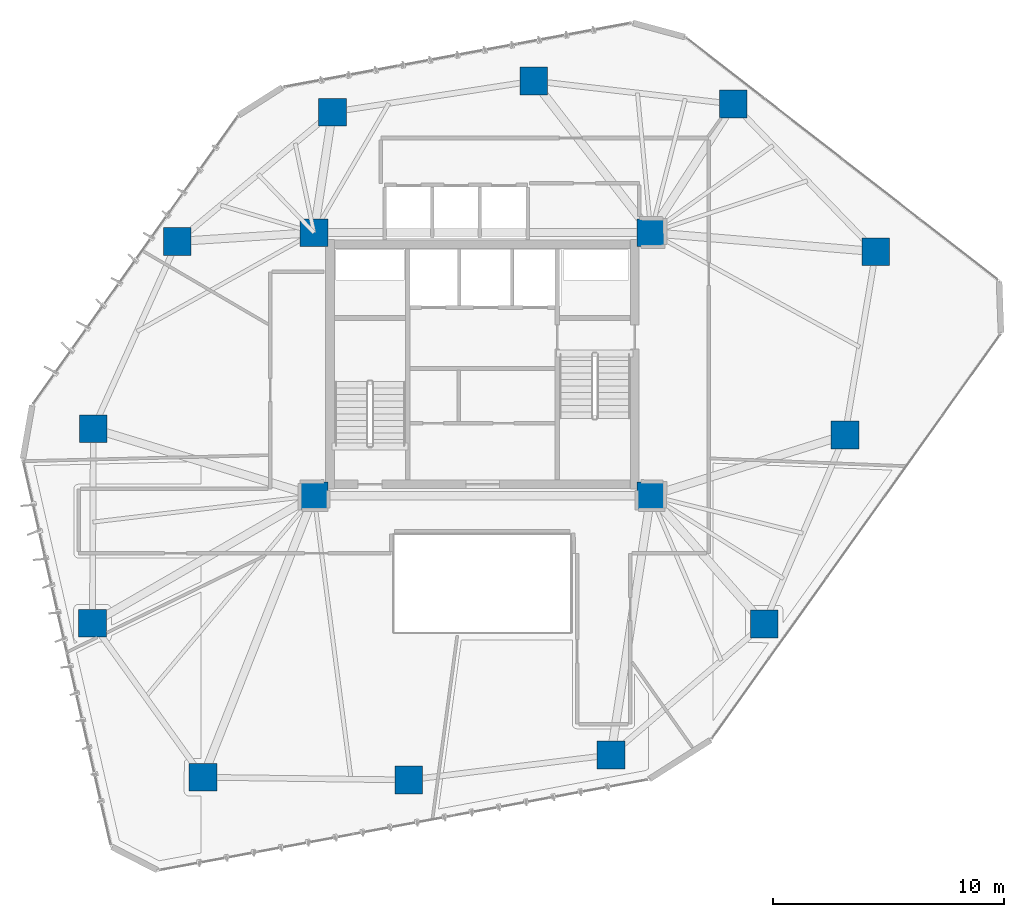
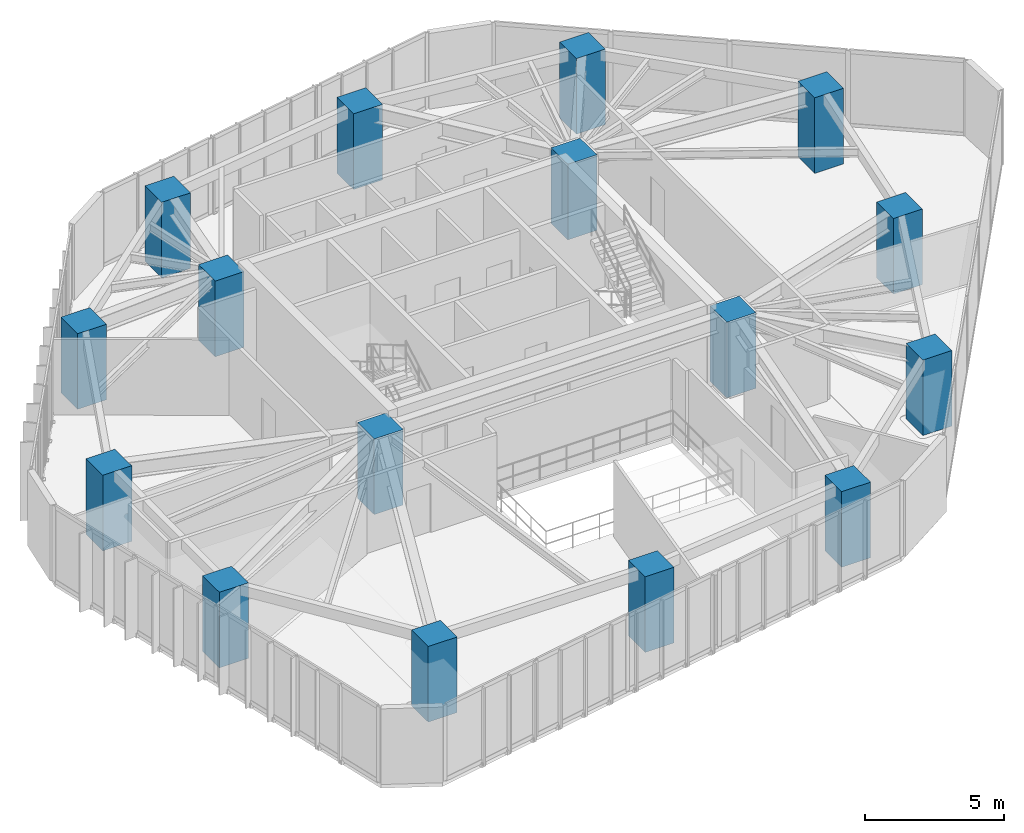
# One storey, part 1 of 22: 16 columns.
"""IFC4 building model written with IfcOpenShell, lengths in metres."""

from ifc_helpers import new_model, si_unit, direction, frame, origin, origin_2d, place, context, subcontext, project, spatial, rectangle, extrude, material, material_profile, profile_set, type_object, element, save


model = new_model("IFC4")

# Units and contexts
model_context = context("Model", 3, precision=1e-05, world=origin(), true_north=direction((0.0, 1.0)))
body_context = subcontext(model_context, "Body", "Model", "MODEL_VIEW")
ifc_project = project(units=[si_unit("LENGTHUNIT", "METRE"), si_unit("AREAUNIT", "SQUARE_METRE"), si_unit("VOLUMEUNIT", "CUBIC_METRE"), si_unit("PLANEANGLEUNIT", "RADIAN"), si_unit("MASSUNIT", "GRAM", prefix="KILO")], contexts=[model_context])

# Site, building, storey
site_placement = place(None, origin())
site = spatial("IfcSite", under=ifc_project, at=site_placement, CompositionType="ELEMENT")
building_placement = place(site_placement, origin())
building = spatial("IfcBuilding", under=site, at=building_placement, Name="Talar Marvaseh", CompositionType="ELEMENT")
storey_placement = place(building_placement, frame((0.0, 0.0, 121.800048828125)))
storey = spatial("IfcBuildingStorey", under=building, at=storey_placement, Name="L31", CompositionType="ELEMENT", Elevation=121.800048828125)

# Columns
ifc_material = material(Name="Concrete C60/75", Category="concrete")
ifc_material_profile = material_profile(ifc_material, rectangle(XDim=1.199951171875, YDim=1.199951171875, at=origin_2d()), Name="RC1200x1200")
ifc_profile_set = profile_set([ifc_material_profile], Name="Concrete C60/75")
column_type = type_object("IfcColumnType", Name="Zone 2 Tube Column RC1200x1200", PredefinedType="COLUMN", material=ifc_profile_set)
for number, where, z_axis, x_axis, name in (
    (1, (36.865966796875, 42.470947265625, 0.0), (0.0, 0.0, 1.0), (1.0, 0.0, 0.0), "L31 Zone 2 Tube Column RC1200x1200"),
    (2, (43.0439453125, 36.075927734375, 0.0), (0.0, 0.0, 1.0), (1.0, 0.0, 0.0), "L31 Zone 2 Tube Column RC1200x1200"),
    (3, (41.708984375, 28.1279296875, 0.0), (0.0, 0.0, 1.0), (1.0, 0.0, 0.0), "L31 Zone 2 Tube Column RC1200x1200"),
    (4, (38.2060546875, 19.94091796875, 0.0), (0.0, 0.0, 1.0), (1.0, 0.0, 0.0), "L31 Zone 2 Tube Column RC1200x1200"),
    (5, (31.570068359375, 14.26806640625, 0.0), (0.0, 0.0, 1.0), (1.0, 0.0, 0.0), "L31 Zone 2 Tube Column RC1200x1200"),
    (6, (22.804931640625, 13.18310546875, 0.0), (0.0, 0.0, 1.0), (1.0, 0.0, 0.0), "L31 Zone 2 Tube Column RC1200x1200"),
    (7, (13.89111328125, 13.299072265625, 0.0), (0.0, 0.0, 1.0), (1.0, 0.0, 0.0), "L31 Zone 2 Tube Column RC1200x1200"),
    (8, (9.10107421875, 19.97705078125, 0.0), (0.0, 0.0, 1.0), (1.0, 0.0, 0.0), "L31 Zone 2 Tube Column RC1200x1200"),
    (9, (9.137939453125, 28.402099609375, 0.0), (0.0, 0.0, 1.0), (1.0, 0.0, 0.0), "L31 Zone 2 Tube Column RC1200x1200"),
    (10, (12.780029296875, 36.51708984375, 0.0), (0.0, 0.0, 1.0), (1.0, 0.0, 0.0), "L31 Zone 2 Tube Column RC1200x1200"),
    (11, (19.5009765625, 42.123046875, 0.0), (0.0, 0.0, 1.0), (1.0, 0.0, 0.0), "L31 Zone 2 Tube Column RC1200x1200"),
    (12, (28.221923828125, 43.471923828125, 0.0), (0.0, 0.0, 1.0), (1.0, 0.0, 0.0), "L31 Zone 2 Tube Column RC1200x1200"),
    (13, (18.699951171875, 25.5, 0.0), (0.0, 0.0, 1.0), (1.0, 0.0, 0.0), "L31 Zone 2 Tube Column RC1200x1200"),
    (14, (33.300048828125, 25.5, 0.0), (0.0, 0.0, 1.0), (1.0, 0.0, 0.0), "L31 Zone 2 Tube Column RC1200x1200"),
    (15, (33.300048828125, 36.89990234375, 0.0), (0.0, 0.0, 1.0), (1.0, 0.0, 0.0), "L31 Zone 2 Tube Column RC1200x1200"),
    (16, (18.699951171875, 36.89990234375, 0.0), (0.0, 0.0, 1.0), (1.0, 0.0, 0.0), "L31 Zone 2 Tube Column RC1200x1200"),
):
    element("IfcColumn", number, at=place(storey_placement, frame(where, z_axis=z_axis, x_axis=x_axis)), inside=storey, type_object=column_type, Name=name, PredefinedType="COLUMN", context=body_context, shape_type="SweptSolid", body=[
        extrude(rectangle(XDim=1.199951171875, YDim=1.199951171875, at=origin_2d()), origin(), (0.0, 0.0, 1.0), 3.31005859375),
    ])

save(model, "model.ifc")
